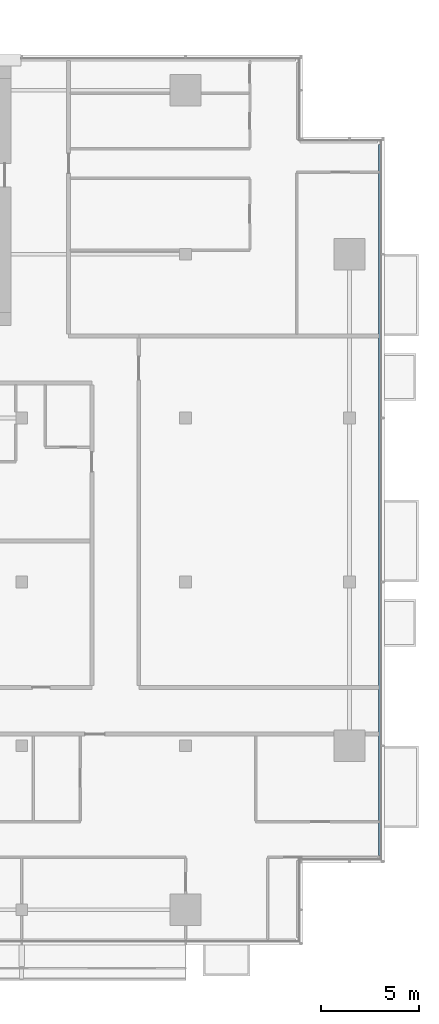
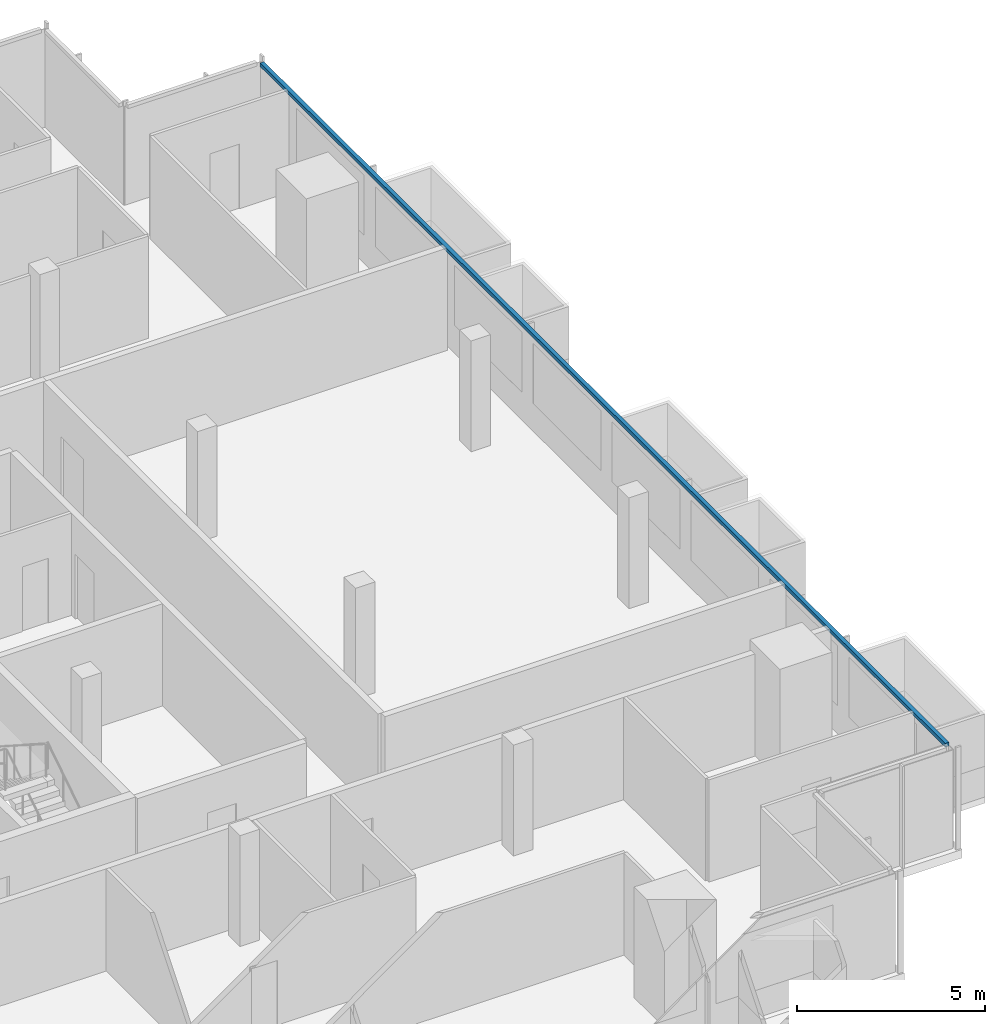
# One storey, part 12 of 27: 1 member, 1 element without a shape of its own.
"""IFC4 building model written with IfcOpenShell, lengths in metres."""

from ifc_helpers import new_model, si_unit, direction, frame, origin, origin_2d, place, context, subcontext, project, spatial, rectangle, extrude, material, material_profile, profile_set, type_object, element, aggregate, save


model = new_model("IFC4")

# Units and contexts
model_context = context("Model", 3, precision=1e-05, world=origin(), true_north=direction((0.0, 1.0)))
body_context = subcontext(model_context, "Body", "Model", "MODEL_VIEW")
ifc_project = project(units=[si_unit("LENGTHUNIT", "METRE"), si_unit("AREAUNIT", "SQUARE_METRE"), si_unit("VOLUMEUNIT", "CUBIC_METRE"), si_unit("PLANEANGLEUNIT", "RADIAN"), si_unit("MASSUNIT", "GRAM", prefix="KILO")], contexts=[model_context])

# Site, building, storey
site_placement = place(None, origin())
site = spatial("IfcSite", under=ifc_project, at=site_placement, CompositionType="ELEMENT")
building_placement = place(site_placement, origin())
building = spatial("IfcBuilding", under=site, at=building_placement, Name="Saffron Gate Tower", CompositionType="ELEMENT")
storey_placement = place(building_placement, frame((0.0, 0.0, 212.699951171875)))
storey = spatial("IfcBuildingStorey", under=building, at=storey_placement, Name="L51", CompositionType="ELEMENT", Elevation=212.699951171875)

# Curtain wall, member
ifc_material = material(Name="Aluminium, bronze anodised", Category="aluminium")
curtain_wall_type = type_object("IfcCurtainWallType", Name="CWS2 curtain wall side facades", PredefinedType="NOTDEFINED", material=ifc_material)
curtain_wall_placement = place(storey_placement, origin())
curtain_wall = element("IfcCurtainWall", 1, at=curtain_wall_placement, inside=storey, type_object=curtain_wall_type, Name="CWS2 run 4", PredefinedType="NOTDEFINED")
ifc_material_profile = material_profile(ifc_material, rectangle(XDim=0.1201171875, YDim=0.1201171875, at=origin_2d()))
ifc_profile_set = profile_set([ifc_material_profile], Name="Aluminium, bronze anodised")
member_type = type_object("IfcMemberType", Name="CWS2 head transom", PredefinedType="USERDEFINED", material=ifc_profile_set)
member_placement = place(storey_placement, frame((126.951904296875, 34.568115234375, 3.260009765625), z_axis=(0.0, 1.0, 0.0), x_axis=(-1.0, 0.0, 0.0)))
member = element("IfcMember", 2, at=member_placement, type_object=member_type, Name="CWS2 head transom", ObjectType="TRANSOM", PredefinedType="USERDEFINED", context=body_context, shape_type="SweptSolid", body=[
    extrude(rectangle(XDim=0.1201171875, YDim=0.1201171875, at=origin_2d()), origin(), (0.0, 0.0, 1.0), 36.4638671875),
])
aggregate(curtain_wall, [member])

save(model, "model.ifc")
